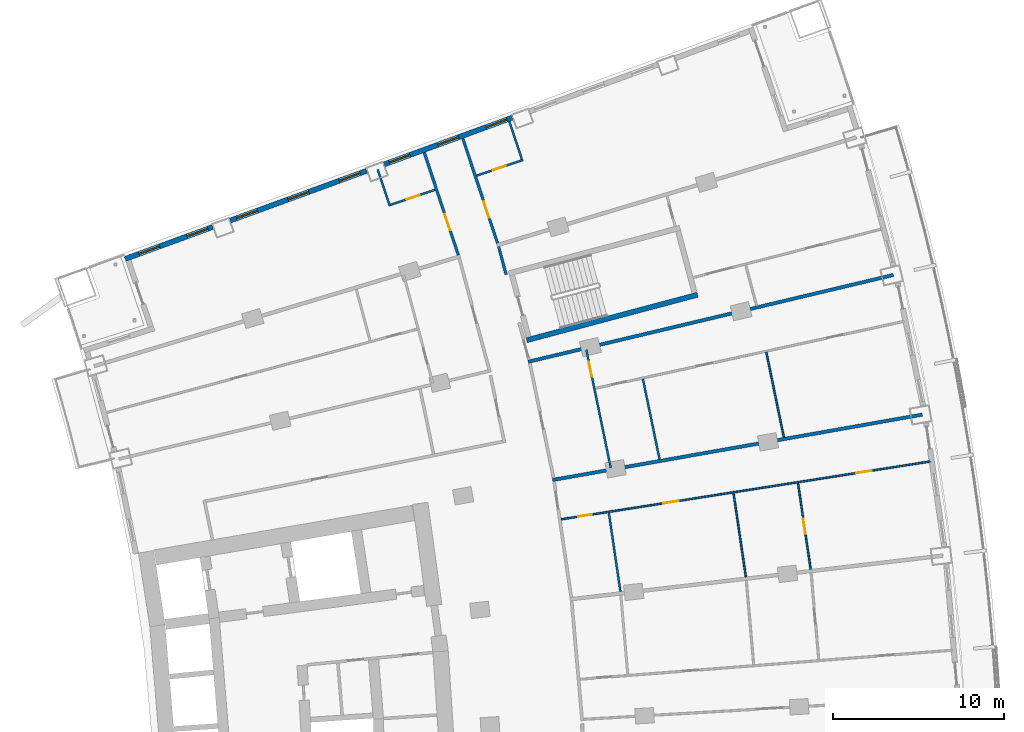
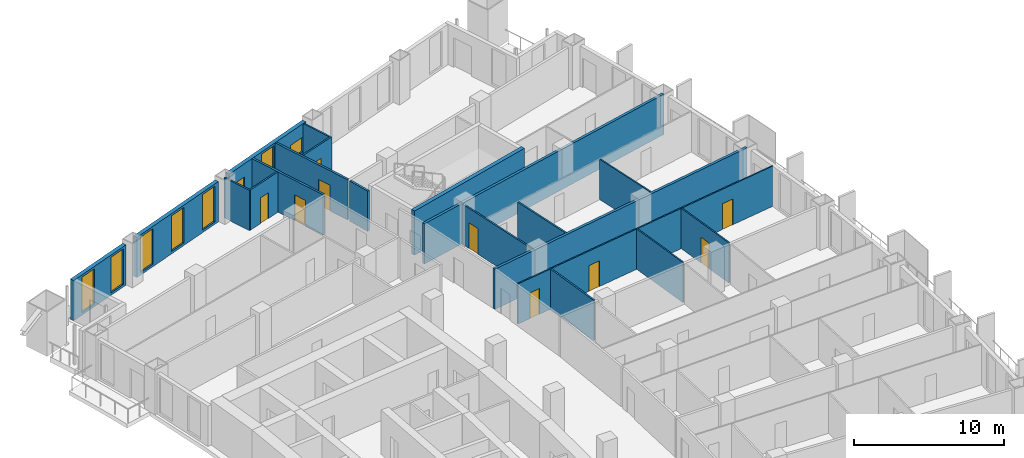
# One storey, part 20 of 25: 20 walls, 9 doors, 8 windows, 17 openings.
"""IFC4 building model written with IfcOpenShell, lengths in metres."""

from ifc_helpers import new_model, si_unit, direction, frame, frame_2d, origin, place, context, subcontext, project, spatial, rectangle, extrude, material, layer, layer_set, type_object, element, fill, save


model = new_model("IFC4")

# Units and contexts
model_context = context("Model", 3, precision=1e-05, world=origin(), true_north=direction((0.0, 1.0)))
body_context = subcontext(model_context, "Body", "Model", "MODEL_VIEW")
ifc_project = project(units=[si_unit("LENGTHUNIT", "METRE"), si_unit("AREAUNIT", "SQUARE_METRE"), si_unit("VOLUMEUNIT", "CUBIC_METRE"), si_unit("PLANEANGLEUNIT", "RADIAN"), si_unit("MASSUNIT", "GRAM", prefix="KILO")], contexts=[model_context])

# Site, building, storey
site_placement = place(None, origin())
site = spatial("IfcSite", under=ifc_project, at=site_placement, CompositionType="ELEMENT")
building_placement = place(site_placement, origin())
building = spatial("IfcBuilding", under=site, at=building_placement, Name="Alderwake Tower", CompositionType="ELEMENT")
storey_placement = place(building_placement, frame((0.0, 0.0, 46.39990234375)))
storey = spatial("IfcBuildingStorey", under=building, at=storey_placement, Name="L10", CompositionType="ELEMENT", Elevation=46.39990234375)

# Wall
ifc_material_1 = material(Name="Concrete C70/85", Category="concrete")
ifc_layer_1 = layer(ifc_material_1, 0.300048828125)
ifc_layer_set_1 = layer_set([ifc_layer_1], Name="Core wall stair enclosure 300 C70-85")
wall_type_1 = type_object("IfcWallType", Name="Core wall stair enclosure 300 C70-85", PredefinedType="SHEAR", material=ifc_layer_set_1)
wall_1_placement = place(storey_placement, frame((37.75390625, 90.268798828125, 0.0), z_axis=(0.0, 0.0, 1.0), x_axis=(0.966309214305, 0.257383958996, 0.0)))
element("IfcWall", 1, at=wall_1_placement, inside=storey, type_object=wall_type_1, Name="Core wall CW.084", PredefinedType="SHEAR", context=body_context, shape_type="SweptSolid", body=[
    extrude(rectangle(XDim=10.360107421875, YDim=0.300048828125, at=frame_2d((5.18017578125, 0.0))), origin(), (0.0, 0.0, 1.0), 3.60009765625),
])

# Wall, opening, door
ifc_material_2 = material(Name="Gypsum board on metal studs, rated")
ifc_layer_2 = layer(ifc_material_2, 0.159912109375)
ifc_layer_set_2 = layer_set([ifc_layer_2], Name="Corridor wall 160")
wall_type_2 = type_object("IfcWallType", Name="Corridor wall 160", PredefinedType="PARTITIONING", material=ifc_layer_set_2)
wall_2_placement = place(storey_placement, frame((33.75146484375, 95.2548828125, 0.0), z_axis=(0.0, 0.0, 1.0), x_axis=(-0.315406156735, 0.948956772616, 0.0)))
wall_2 = element("IfcWall", 2, at=wall_2_placement, inside=storey, type_object=wall_type_2, Name="WL/L10/W18", PredefinedType="PARTITIONING", context=body_context, shape_type="SweptSolid", body=[
    extrude(rectangle(XDim=6.330078125, YDim=0.159912109375, at=frame_2d((3.1650390625, 0.0))), origin(), (0.0, 0.0, 1.0), 3.280029296875),
])
opening_1_placement = place(wall_2_placement, frame((1.529052734375, 0.0, 0.0)))
opening_1 = element("IfcOpeningElement", 3, at=opening_1_placement, cuts=wall_2, Name="Opening R02-U14.1", PredefinedType="OPENING", context=body_context, shape_type="SweptSolid", body=[
    extrude(rectangle(XDim=1.0, YDim=2.10009765625, at=frame_2d((0.5, 1.050048828125))), frame((0.0, 0.08984375, 0.0), z_axis=(0.0, -1.0, 0.0), x_axis=(1.0, 0.0, 0.0)), (0.0, 0.0, 1.0), 0.179931640625),
])
ifc_material_3 = material(Name="Solid timber leaf in steel frame", Category="steel")
door_type_1 = type_object("IfcDoorType", Name="Flat entrance door 1000 fire-rated", OperationType="SINGLE_SWING_LEFT", PredefinedType="DOOR", material=ifc_material_3)
door_1_placement = place(opening_1_placement, origin())
door_1 = element("IfcDoor", 4, at=door_1_placement, inside=storey, type_object=door_type_1, Name="DR/L10/U14.1", OperationType="SINGLE_SWING_LEFT", OverallHeight=2.10009765625, OverallWidth=1.0, PredefinedType="DOOR", context=body_context, shape_type="SweptSolid", body=[
    extrude(rectangle(XDim=1.0, YDim=2.10009765625, at=frame_2d((0.5, 1.050048828125))), frame((0.0, 0.02490234375, 0.0), z_axis=(0.0, -1.0, 0.0), x_axis=(1.0, 0.0, 0.0)), (0.0, 0.0, 1.0), 0.050048828125),
])
fill(opening_1, door_1)

wall_3_placement = place(storey_placement, frame((34.010986328125, 102.083984375, 0.0), z_axis=(0.0, 0.0, 1.0), x_axis=(0.315140606423, -0.949044992708, 0.0)))
wall_3 = element("IfcWall", 5, at=wall_3_placement, inside=storey, type_object=wall_type_2, Name="WL/L10/W26", PredefinedType="PARTITIONING", context=body_context, shape_type="SweptSolid", body=[
    extrude(rectangle(XDim=6.46875, YDim=0.159912109375, at=frame_2d((3.234375, 0.0))), origin(), (0.0, 0.0, 1.0), 3.280029296875),
])
opening_2_placement = place(wall_3_placement, frame((3.897705078125, 0.0, 0.0)))
opening_2 = element("IfcOpeningElement", 6, at=opening_2_placement, cuts=wall_3, Name="Opening R02-U04.1", PredefinedType="OPENING", context=body_context, shape_type="SweptSolid", body=[
    extrude(rectangle(XDim=1.0, YDim=2.10009765625, at=frame_2d((0.5, 1.050048828125))), frame((0.0, 0.08984375, 0.0), z_axis=(0.0, -1.0, 0.0), x_axis=(1.0, 0.0, 0.0)), (0.0, 0.0, 1.0), 0.179931640625),
])
door_2_placement = place(opening_2_placement, origin())
door_2 = element("IfcDoor", 7, at=door_2_placement, inside=storey, type_object=door_type_1, Name="DR/L10/U04.1", OperationType="SINGLE_SWING_LEFT", OverallHeight=2.10009765625, OverallWidth=1.0, PredefinedType="DOOR", context=body_context, shape_type="SweptSolid", body=[
    extrude(rectangle(XDim=1.0, YDim=2.10009765625, at=frame_2d((0.5, 1.050048828125))), frame((0.0, 0.02490234375, 0.0), z_axis=(0.0, -1.0, 0.0), x_axis=(1.0, 0.0, 0.0)), (0.0, 0.0, 1.0), 0.050048828125),
])
fill(opening_2, door_2)

# Wall
wall_4_placement = place(storey_placement, frame((36.549072265625, 94.110107421875, 0.0), z_axis=(0.0, 0.0, 1.0), x_axis=(-0.259813977097, 0.965658685719, 0.0)))
element("IfcWall", 8, at=wall_4_placement, inside=storey, type_object=wall_type_2, Name="WL/L10/W29", PredefinedType="PARTITIONING", context=body_context, shape_type="SweptSolid", body=[
    extrude(rectangle(XDim=1.70166015625, YDim=0.159912109375, at=frame_2d((0.850830078125, 0.0))), origin(), (0.0, 0.0, 1.0), 3.280029296875),
])

# Wall, openings, windows
ifc_material_4 = material(Name="Bronze metal cladding on lightweight framing")
ifc_layer_3 = layer(ifc_material_4, 0.300048828125)
ifc_layer_set_3 = layer_set([ifc_layer_3], Name="External wall EW2 bronze metal cladding")
wall_type_3 = type_object("IfcWallType", Name="External wall EW2 bronze metal cladding", PredefinedType="SOLIDWALL", material=ifc_layer_set_3)
wall_5_placement = place(storey_placement, frame((36.896484375, 103.2978515625, 0.0), z_axis=(0.0, 0.0, 1.0), x_axis=(-0.93937644601, -0.342887580237, 0.0)))
wall_5 = element("IfcWall", 9, at=wall_5_placement, inside=storey, type_object=wall_type_3, Name="External wall 27", PredefinedType="SOLIDWALL", context=body_context, shape_type="SweptSolid", body=[
    extrude(rectangle(XDim=7.96240234375, YDim=0.300048828125, at=frame_2d((3.981201171875, 0.0))), origin(), (0.0, 0.0, 1.0), 3.280029296875),
])
opening_3_placement = place(wall_5_placement, frame((0.30908203125, 0.0, 1.0)))
opening_3 = element("IfcOpeningElement", 10, at=opening_3_placement, cuts=wall_5, Name="Opening W2", PredefinedType="OPENING", context=body_context, shape_type="SweptSolid", body=[
    extrude(rectangle(XDim=1.300048828125, YDim=1.199951171875, at=frame_2d((0.64990234375, 0.60009765625))), frame((0.0, 0.159912109375, 0.0), z_axis=(0.0, -1.0, 0.0), x_axis=(1.0, 0.0, 0.0)), (0.0, 0.0, 1.0), 0.320068359375),
])
opening_4_placement = place(wall_5_placement, frame((3.331298828125, 0.0, 0.199951171875)))
opening_4 = element("IfcOpeningElement", 11, at=opening_4_placement, cuts=wall_5, Name="Opening W1", PredefinedType="OPENING", context=body_context, shape_type="SweptSolid", body=[
    extrude(rectangle(XDim=1.300048828125, YDim=2.89990234375, at=frame_2d((0.64990234375, 1.449951171875))), frame((0.0, 0.159912109375, 0.0), z_axis=(0.0, -1.0, 0.0), x_axis=(1.0, 0.0, 0.0)), (0.0, 0.0, 1.0), 0.320068359375),
])
opening_5_placement = place(wall_5_placement, frame((6.353515625, 0.0, 1.0)))
opening_5 = element("IfcOpeningElement", 12, at=opening_5_placement, cuts=wall_5, Name="Opening W2", PredefinedType="OPENING", context=body_context, shape_type="SweptSolid", body=[
    extrude(rectangle(XDim=1.300048828125, YDim=1.199951171875, at=frame_2d((0.64990234375, 0.60009765625))), frame((0.0, 0.159912109375, 0.0), z_axis=(0.0, -1.0, 0.0), x_axis=(1.0, 0.0, 0.0)), (0.0, 0.0, 1.0), 0.320068359375),
])
ifc_material_5 = material(Name="Bronze tinted glass in aluminium frame", Category="aluminium")
window_type_1 = type_object("IfcWindowType", Name="Window W1 tall fixed and vent", PartitioningType="DOUBLE_PANEL_VERTICAL", PredefinedType="WINDOW", material=ifc_material_5)
window_1_placement = place(opening_4_placement, origin())
window_1 = element("IfcWindow", 13, at=window_1_placement, inside=storey, type_object=window_type_1, Name="Window W1 tall fixed and vent", OverallHeight=2.89990234375, OverallWidth=1.300048828125, PartitioningType="DOUBLE_PANEL_VERTICAL", PredefinedType="WINDOW", context=body_context, shape_type="SweptSolid", body=[
    extrude(rectangle(XDim=1.300048828125, YDim=2.89990234375, at=frame_2d((0.64990234375, 1.449951171875))), frame((0.0, 0.030029296875, 0.0), z_axis=(0.0, -1.0, 0.0), x_axis=(1.0, 0.0, 0.0)), (0.0, 0.0, 1.0), 0.06005859375),
])
fill(opening_4, window_1)
ifc_material_6 = material(Name="Bronze tinted glass in aluminium frame", Category="aluminium")
window_type_2 = type_object("IfcWindowType", Name="Window W2 kitchen and bath", PartitioningType="SINGLE_PANEL", PredefinedType="WINDOW", material=ifc_material_6)
window_2_placement = place(opening_3_placement, origin())
window_2 = element("IfcWindow", 14, at=window_2_placement, inside=storey, type_object=window_type_2, Name="Window W2 kitchen and bath", OverallHeight=1.199951171875, OverallWidth=1.300048828125, PartitioningType="SINGLE_PANEL", PredefinedType="WINDOW", context=body_context, shape_type="SweptSolid", body=[
    extrude(rectangle(XDim=1.300048828125, YDim=1.199951171875, at=frame_2d((0.64990234375, 0.60009765625))), frame((0.0, 0.030029296875, 0.0), z_axis=(0.0, -1.0, 0.0), x_axis=(1.0, 0.0, 0.0)), (0.0, 0.0, 1.0), 0.06005859375),
])
fill(opening_3, window_2)
window_3_placement = place(opening_5_placement, origin())
window_3 = element("IfcWindow", 15, at=window_3_placement, inside=storey, type_object=window_type_2, Name="Window W2 kitchen and bath", OverallHeight=1.199951171875, OverallWidth=1.300048828125, PartitioningType="SINGLE_PANEL", PredefinedType="WINDOW", context=body_context, shape_type="SweptSolid", body=[
    extrude(rectangle(XDim=1.300048828125, YDim=1.199951171875, at=frame_2d((0.64990234375, 0.60009765625))), frame((0.0, 0.030029296875, 0.0), z_axis=(0.0, -1.0, 0.0), x_axis=(1.0, 0.0, 0.0)), (0.0, 0.0, 1.0), 0.06005859375),
])
fill(opening_5, window_3)

wall_6_placement = place(storey_placement, frame((28.37890625, 100.18896484375, 0.0), z_axis=(0.0, 0.0, 1.0), x_axis=(-0.939369809957, -0.342905759856, 0.0)))
wall_6 = element("IfcWall", 16, at=wall_6_placement, inside=storey, type_object=wall_type_3, Name="External wall 28", PredefinedType="SOLIDWALL", context=body_context, shape_type="SweptSolid", body=[
    extrude(rectangle(XDim=8.495361328125, YDim=0.300048828125, at=frame_2d((4.24755859375, 0.0))), origin(), (0.0, 0.0, 1.0), 3.280029296875),
])
opening_6_placement = place(wall_6_placement, frame((0.397705078125, 0.0, 0.199951171875)))
opening_6 = element("IfcOpeningElement", 17, at=opening_6_placement, cuts=wall_6, Name="Opening W1", PredefinedType="OPENING", context=body_context, shape_type="SweptSolid", body=[
    extrude(rectangle(XDim=1.300048828125, YDim=2.89990234375, at=frame_2d((0.64990234375, 1.449951171875))), frame((0.0, 0.159912109375, 0.0), z_axis=(0.0, -1.0, 0.0), x_axis=(1.0, 0.0, 0.0)), (0.0, 0.0, 1.0), 0.320068359375),
])
opening_7_placement = place(wall_6_placement, frame((3.59765625, 0.0, 0.199951171875)))
opening_7 = element("IfcOpeningElement", 18, at=opening_7_placement, cuts=wall_6, Name="Opening W1", PredefinedType="OPENING", context=body_context, shape_type="SweptSolid", body=[
    extrude(rectangle(XDim=1.300048828125, YDim=2.89990234375, at=frame_2d((0.64990234375, 1.449951171875))), frame((0.0, 0.159912109375, 0.0), z_axis=(0.0, -1.0, 0.0), x_axis=(1.0, 0.0, 0.0)), (0.0, 0.0, 1.0), 0.320068359375),
])
opening_8_placement = place(wall_6_placement, frame((6.7978515625, 0.0, 0.199951171875)))
opening_8 = element("IfcOpeningElement", 19, at=opening_8_placement, cuts=wall_6, Name="Opening W1", PredefinedType="OPENING", context=body_context, shape_type="SweptSolid", body=[
    extrude(rectangle(XDim=1.300048828125, YDim=2.89990234375, at=frame_2d((0.64990234375, 1.449951171875))), frame((0.0, 0.159912109375, 0.0), z_axis=(0.0, -1.0, 0.0), x_axis=(1.0, 0.0, 0.0)), (0.0, 0.0, 1.0), 0.320068359375),
])
window_4_placement = place(opening_6_placement, origin())
window_4 = element("IfcWindow", 20, at=window_4_placement, inside=storey, type_object=window_type_1, Name="Window W1 tall fixed and vent", OverallHeight=2.89990234375, OverallWidth=1.300048828125, PartitioningType="DOUBLE_PANEL_VERTICAL", PredefinedType="WINDOW", context=body_context, shape_type="SweptSolid", body=[
    extrude(rectangle(XDim=1.300048828125, YDim=2.89990234375, at=frame_2d((0.64990234375, 1.449951171875))), frame((0.0, 0.030029296875, 0.0), z_axis=(0.0, -1.0, 0.0), x_axis=(1.0, 0.0, 0.0)), (0.0, 0.0, 1.0), 0.06005859375),
])
fill(opening_6, window_4)
window_5_placement = place(opening_7_placement, origin())
window_5 = element("IfcWindow", 21, at=window_5_placement, inside=storey, type_object=window_type_1, Name="Window W1 tall fixed and vent", OverallHeight=2.89990234375, OverallWidth=1.300048828125, PartitioningType="DOUBLE_PANEL_VERTICAL", PredefinedType="WINDOW", context=body_context, shape_type="SweptSolid", body=[
    extrude(rectangle(XDim=1.300048828125, YDim=2.89990234375, at=frame_2d((0.64990234375, 1.449951171875))), frame((0.0, 0.030029296875, 0.0), z_axis=(0.0, -1.0, 0.0), x_axis=(1.0, 0.0, 0.0)), (0.0, 0.0, 1.0), 0.06005859375),
])
fill(opening_7, window_5)
window_6_placement = place(opening_8_placement, origin())
window_6 = element("IfcWindow", 22, at=window_6_placement, inside=storey, type_object=window_type_1, Name="Window W1 tall fixed and vent", OverallHeight=2.89990234375, OverallWidth=1.300048828125, PartitioningType="DOUBLE_PANEL_VERTICAL", PredefinedType="WINDOW", context=body_context, shape_type="SweptSolid", body=[
    extrude(rectangle(XDim=1.300048828125, YDim=2.89990234375, at=frame_2d((0.64990234375, 1.449951171875))), frame((0.0, 0.030029296875, 0.0), z_axis=(0.0, -1.0, 0.0), x_axis=(1.0, 0.0, 0.0)), (0.0, 0.0, 1.0), 0.06005859375),
])
fill(opening_8, window_6)

wall_7_placement = place(storey_placement, frame((19.360595703125, 96.89697265625, 0.0), z_axis=(0.0, 0.0, 1.0), x_axis=(-0.939360985368, -0.342929933321, 0.0)))
wall_7 = element("IfcWall", 23, at=wall_7_placement, inside=storey, type_object=wall_type_3, Name="External wall 29", PredefinedType="SOLIDWALL", context=body_context, shape_type="SweptSolid", body=[
    extrude(rectangle(XDim=5.448974609375, YDim=0.300048828125, at=frame_2d((2.724609375, 0.0))), origin(), (0.0, 0.0, 1.0), 3.280029296875),
])
opening_9_placement = place(wall_7_placement, frame((0.2978515625, 0.0, 0.199951171875)))
opening_9 = element("IfcOpeningElement", 24, at=opening_9_placement, cuts=wall_7, Name="Opening W1", PredefinedType="OPENING", context=body_context, shape_type="SweptSolid", body=[
    extrude(rectangle(XDim=1.300048828125, YDim=2.89990234375, at=frame_2d((0.64990234375, 1.449951171875))), frame((0.0, 0.159912109375, 0.0), z_axis=(0.0, -1.0, 0.0), x_axis=(1.0, 0.0, 0.0)), (0.0, 0.0, 1.0), 0.320068359375),
])
opening_10_placement = place(wall_7_placement, frame((3.298583984375, 0.0, 0.199951171875)))
opening_10 = element("IfcOpeningElement", 25, at=opening_10_placement, cuts=wall_7, Name="Opening W1", PredefinedType="OPENING", context=body_context, shape_type="SweptSolid", body=[
    extrude(rectangle(XDim=1.300048828125, YDim=2.89990234375, at=frame_2d((0.64990234375, 1.449951171875))), frame((0.0, 0.159912109375, 0.0), z_axis=(0.0, -1.0, 0.0), x_axis=(1.0, 0.0, 0.0)), (0.0, 0.0, 1.0), 0.320068359375),
])
window_7_placement = place(opening_9_placement, origin())
window_7 = element("IfcWindow", 26, at=window_7_placement, inside=storey, type_object=window_type_1, Name="Window W1 tall fixed and vent", OverallHeight=2.89990234375, OverallWidth=1.300048828125, PartitioningType="DOUBLE_PANEL_VERTICAL", PredefinedType="WINDOW", context=body_context, shape_type="SweptSolid", body=[
    extrude(rectangle(XDim=1.300048828125, YDim=2.89990234375, at=frame_2d((0.64990234375, 1.449951171875))), frame((0.0, 0.030029296875, 0.0), z_axis=(0.0, -1.0, 0.0), x_axis=(1.0, 0.0, 0.0)), (0.0, 0.0, 1.0), 0.06005859375),
])
fill(opening_9, window_7)
window_8_placement = place(opening_10_placement, origin())
window_8 = element("IfcWindow", 27, at=window_8_placement, inside=storey, type_object=window_type_1, Name="Window W1 tall fixed and vent", OverallHeight=2.89990234375, OverallWidth=1.300048828125, PartitioningType="DOUBLE_PANEL_VERTICAL", PredefinedType="WINDOW", context=body_context, shape_type="SweptSolid", body=[
    extrude(rectangle(XDim=1.300048828125, YDim=2.89990234375, at=frame_2d((0.64990234375, 1.449951171875))), frame((0.0, 0.030029296875, 0.0), z_axis=(0.0, -1.0, 0.0), x_axis=(1.0, 0.0, 0.0)), (0.0, 0.0, 1.0), 0.06005859375),
])
fill(opening_10, window_8)

# Walls
ifc_material_7 = material(Name="Dense block masonry wall", Category="masonry")
ifc_layer_4 = layer(ifc_material_7, 0.199951171875)
ifc_layer_set_4 = layer_set([ifc_layer_4], Name="Party wall 200")
wall_type_4 = type_object("IfcWallType", Name="Party wall 200", PredefinedType="SOLIDWALL", material=ifc_layer_set_4)
wall_8_placement = place(storey_placement, frame((37.839111328125, 89.006591796875, 0.0), z_axis=(0.0, 0.0, 1.0), x_axis=(0.972896955684, 0.231239083247, 0.0)))
element("IfcWall", 28, at=wall_8_placement, inside=storey, type_object=wall_type_4, Name="WL/L10/W05", PredefinedType="SOLIDWALL", context=body_context, shape_type="SweptSolid", body=[
    extrude(rectangle(XDim=21.9794921875, YDim=0.199951171875, at=frame_2d((10.98974609375, 0.0))), origin(), (0.0, 0.0, 1.0), 3.280029296875),
])
wall_9_placement = place(storey_placement, frame((60.9150390625, 85.9140625, 0.0), z_axis=(0.0, 0.0, 1.0), x_axis=(-0.984728497917, -0.174097057385, 0.0)))
element("IfcWall", 29, at=wall_9_placement, inside=storey, type_object=wall_type_4, Name="WL/L10/W09", PredefinedType="SOLIDWALL", context=body_context, shape_type="SweptSolid", body=[
    extrude(rectangle(XDim=21.9814453125, YDim=0.199951171875, at=frame_2d((10.99072265625, 0.0))), origin(), (0.0, 0.0, 1.0), 3.280029296875),
])

# Wall, openings, doors
ifc_material_8 = material(Name="Gypsum board on metal studs")
ifc_layer_5 = layer(ifc_material_8, 0.10009765625)
ifc_layer_set_5 = layer_set([ifc_layer_5], Name="Unit partition 100")
wall_type_5 = type_object("IfcWallType", Name="Unit partition 100", PredefinedType="PARTITIONING", material=ifc_layer_set_5)
wall_10_placement = place(storey_placement, frame((61.367919921875, 83.1689453125, 0.0), z_axis=(0.0, 0.0, 1.0), x_axis=(-0.987930619591, -0.154897033134, 0.0)))
wall_10 = element("IfcWall", 30, at=wall_10_placement, inside=storey, type_object=wall_type_5, Name="WL/L10/W67", PredefinedType="PARTITIONING", context=body_context, shape_type="SweptSolid", body=[
    extrude(rectangle(XDim=21.86279296875, YDim=0.10009765625, at=frame_2d((10.931396484375, 0.0))), origin(), (0.0, 0.0, 1.0), 3.280029296875),
])
opening_11_placement = place(wall_10_placement, frame((14.89697265625, 0.0, 0.0)))
opening_11 = element("IfcOpeningElement", 31, at=opening_11_placement, cuts=wall_10, Name="Opening R02-U09.1", PredefinedType="OPENING", context=body_context, shape_type="SweptSolid", body=[
    extrude(rectangle(XDim=0.89990234375, YDim=2.10009765625, at=frame_2d((0.449951171875, 1.050048828125))), frame((0.0, 0.06005859375, 0.0), z_axis=(0.0, -1.0, 0.0), x_axis=(1.0, 0.0, 0.0)), (0.0, 0.0, 1.0), 0.1201171875),
])
opening_12_placement = place(wall_10_placement, frame((20.052734375, 0.0, 0.0)))
opening_12 = element("IfcOpeningElement", 32, at=opening_12_placement, cuts=wall_10, Name="Opening R02-U09.4", PredefinedType="OPENING", context=body_context, shape_type="SweptSolid", body=[
    extrude(rectangle(XDim=0.800048828125, YDim=2.10009765625, at=frame_2d((0.39990234375, 1.050048828125))), frame((0.0, 0.06005859375, 0.0), z_axis=(0.0, -1.0, 0.0), x_axis=(1.0, 0.0, 0.0)), (0.0, 0.0, 1.0), 0.1201171875),
])
opening_13_placement = place(wall_10_placement, frame((3.465087890625, 0.0, 0.0)))
opening_13 = element("IfcOpeningElement", 33, at=opening_13_placement, cuts=wall_10, Name="Opening R02-U09.5", PredefinedType="OPENING", context=body_context, shape_type="SweptSolid", body=[
    extrude(rectangle(XDim=0.89990234375, YDim=2.10009765625, at=frame_2d((0.449951171875, 1.050048828125))), frame((0.0, 0.06005859375, 0.0), z_axis=(0.0, -1.0, 0.0), x_axis=(1.0, 0.0, 0.0)), (0.0, 0.0, 1.0), 0.1201171875),
])
ifc_material_9 = material(Name="Painted timber leaf", Category="wood")
door_type_2 = type_object("IfcDoorType", Name="Bathroom door 800", OperationType="SINGLE_SWING_LEFT", PredefinedType="DOOR", material=ifc_material_9)
door_3_placement = place(opening_12_placement, origin())
door_3 = element("IfcDoor", 34, at=door_3_placement, inside=storey, type_object=door_type_2, Name="DR/L10/U09.4", OperationType="SINGLE_SWING_LEFT", OverallHeight=2.10009765625, OverallWidth=0.800048828125, PredefinedType="DOOR", context=body_context, shape_type="SweptSolid", body=[
    extrude(rectangle(XDim=0.800048828125, YDim=2.10009765625, at=frame_2d((0.39990234375, 1.050048828125))), frame((0.0, 0.02490234375, 0.0), z_axis=(0.0, -1.0, 0.0), x_axis=(1.0, 0.0, 0.0)), (0.0, 0.0, 1.0), 0.050048828125),
])
fill(opening_12, door_3)
ifc_material_10 = material(Name="Painted timber leaf", Category="wood")
door_type_3 = type_object("IfcDoorType", Name="Room door 900", OperationType="SINGLE_SWING_LEFT", PredefinedType="DOOR", material=ifc_material_10)
door_4_placement = place(opening_11_placement, origin())
door_4 = element("IfcDoor", 35, at=door_4_placement, inside=storey, type_object=door_type_3, Name="DR/L10/U09.1", OperationType="SINGLE_SWING_LEFT", OverallHeight=2.10009765625, OverallWidth=0.89990234375, PredefinedType="DOOR", context=body_context, shape_type="SweptSolid", body=[
    extrude(rectangle(XDim=0.89990234375, YDim=2.10009765625, at=frame_2d((0.449951171875, 1.050048828125))), frame((0.0, 0.02490234375, 0.0), z_axis=(0.0, -1.0, 0.0), x_axis=(1.0, 0.0, 0.0)), (0.0, 0.0, 1.0), 0.050048828125),
])
fill(opening_11, door_4)
door_5_placement = place(opening_13_placement, origin())
door_5 = element("IfcDoor", 36, at=door_5_placement, inside=storey, type_object=door_type_3, Name="DR/L10/U09.5", OperationType="SINGLE_SWING_LEFT", OverallHeight=2.10009765625, OverallWidth=0.89990234375, PredefinedType="DOOR", context=body_context, shape_type="SweptSolid", body=[
    extrude(rectangle(XDim=0.89990234375, YDim=2.10009765625, at=frame_2d((0.449951171875, 1.050048828125))), frame((0.0, 0.02490234375, 0.0), z_axis=(0.0, -1.0, 0.0), x_axis=(1.0, 0.0, 0.0)), (0.0, 0.0, 1.0), 0.050048828125),
])
fill(opening_13, door_5)

# Walls
wall_11_placement = place(storey_placement, frame((50.58642578125, 76.404052734375, 0.0), z_axis=(0.0, 0.0, 1.0), x_axis=(-0.145447275975, 0.98936600402, 0.0)))
element("IfcWall", 37, at=wall_11_placement, inside=storey, type_object=wall_type_5, Name="WL/L10/W79", PredefinedType="PARTITIONING", context=body_context, shape_type="SweptSolid", body=[
    extrude(rectangle(XDim=4.965087890625, YDim=0.10009765625, at=frame_2d((2.482421875, 0.0))), origin(), (0.0, 0.0, 1.0), 3.280029296875),
])
wall_12_placement = place(storey_placement, frame((52.812744140625, 84.583984375, 0.0), z_axis=(0.0, 0.0, 1.0), x_axis=(-0.202516863468, 0.979278775432, 0.0)))
element("IfcWall", 38, at=wall_12_placement, inside=storey, type_object=wall_type_5, Name="WL/L10/W87", PredefinedType="PARTITIONING", context=body_context, shape_type="SweptSolid", body=[
    extrude(rectangle(XDim=5.094482421875, YDim=0.10009765625, at=frame_2d((2.54736328125, 0.0))), origin(), (0.0, 0.0, 1.0), 3.280029296875),
])

# Wall, opening, door
wall_13_placement = place(storey_placement, frame((54.381591796875, 76.85107421875, 0.0), z_axis=(0.0, 0.0, 1.0), x_axis=(-0.14545960896, 0.989364190863, 0.0)))
wall_13 = element("IfcWall", 39, at=wall_13_placement, inside=storey, type_object=wall_type_5, Name="WL/L10/W88", PredefinedType="PARTITIONING", context=body_context, shape_type="SweptSolid", body=[
    extrude(rectangle(XDim=5.11083984375, YDim=0.10009765625, at=frame_2d((2.555419921875, 0.0))), origin(), (0.0, 0.0, 1.0), 3.280029296875),
])
opening_14_placement = place(wall_13_placement, frame((2.10546875, 0.0, 0.0)))
opening_14 = element("IfcOpeningElement", 40, at=opening_14_placement, cuts=wall_13, Name="Opening R02-U09.2", PredefinedType="OPENING", context=body_context, shape_type="SweptSolid", body=[
    extrude(rectangle(XDim=0.89990234375, YDim=2.10009765625, at=frame_2d((0.449951171875, 1.050048828125))), frame((0.0, 0.06005859375, 0.0), z_axis=(0.0, -1.0, 0.0), x_axis=(1.0, 0.0, 0.0)), (0.0, 0.0, 1.0), 0.1201171875),
])
door_6_placement = place(opening_14_placement, origin())
door_6 = element("IfcDoor", 41, at=door_6_placement, inside=storey, type_object=door_type_3, Name="DR/L10/U09.2", OperationType="SINGLE_SWING_LEFT", OverallHeight=2.10009765625, OverallWidth=0.89990234375, PredefinedType="DOOR", context=body_context, shape_type="SweptSolid", body=[
    extrude(rectangle(XDim=0.89990234375, YDim=2.10009765625, at=frame_2d((0.449951171875, 1.050048828125))), frame((0.0, 0.02490234375, 0.0), z_axis=(0.0, -1.0, 0.0), x_axis=(1.0, 0.0, 0.0)), (0.0, 0.0, 1.0), 0.050048828125),
])
fill(opening_14, door_6)

# Wall
ifc_material_11 = material(Name="Moisture resistant gypsum board on metal studs")
ifc_layer_6 = layer(ifc_material_11, 0.1201171875)
ifc_layer_set_6 = layer_set([ifc_layer_6], Name="Wet room partition 120")
wall_type_6 = type_object("IfcWallType", Name="Wet room partition 120", PredefinedType="PARTITIONING", material=ifc_layer_set_6)
wall_14_placement = place(storey_placement, frame((29.031005859375, 100.26611328125, 0.0), z_axis=(0.0, 0.0, 1.0), x_axis=(0.315774774353, -0.948834175123, 0.0)))
element("IfcWall", 42, at=wall_14_placement, inside=storey, type_object=wall_type_6, Name="WL/L10/W41", PredefinedType="PARTITIONING", context=body_context, shape_type="SweptSolid", body=[
    extrude(rectangle(XDim=2.263671875, YDim=0.1201171875, at=frame_2d((1.1318359375, 0.0))), origin(), (0.0, 0.0, 1.0), 3.280029296875),
])

# Wall, opening, door
wall_15_placement = place(storey_placement, frame((29.78369140625, 98.1943359375, 0.0), z_axis=(0.0, 0.0, 1.0), x_axis=(0.947131995712, 0.320844171989, 0.0)))
wall_15 = element("IfcWall", 43, at=wall_15_placement, inside=storey, type_object=wall_type_6, Name="WL/L10/W43", PredefinedType="PARTITIONING", context=body_context, shape_type="SweptSolid", body=[
    extrude(rectangle(XDim=2.75830078125, YDim=0.1201171875, at=frame_2d((1.379150390625, 0.0))), origin(), (0.0, 0.0, 1.0), 3.280029296875),
])
opening_15_placement = place(wall_15_placement, frame((0.97900390625, 0.0, 0.0)))
opening_15 = element("IfcOpeningElement", 44, at=opening_15_placement, cuts=wall_15, Name="Opening R02-U14.2", PredefinedType="OPENING", context=body_context, shape_type="SweptSolid", body=[
    extrude(rectangle(XDim=0.800048828125, YDim=2.10009765625, at=frame_2d((0.39990234375, 1.050048828125))), frame((0.0, 0.070068359375, 0.0), z_axis=(0.0, -1.0, 0.0), x_axis=(1.0, 0.0, 0.0)), (0.0, 0.0, 1.0), 0.14013671875),
])
door_7_placement = place(opening_15_placement, origin())
door_7 = element("IfcDoor", 45, at=door_7_placement, inside=storey, type_object=door_type_2, Name="DR/L10/U14.2", OperationType="SINGLE_SWING_LEFT", OverallHeight=2.10009765625, OverallWidth=0.800048828125, PredefinedType="DOOR", context=body_context, shape_type="SweptSolid", body=[
    extrude(rectangle(XDim=0.800048828125, YDim=2.10009765625, at=frame_2d((0.39990234375, 1.050048828125))), frame((0.0, 0.02490234375, 0.0), z_axis=(0.0, -1.0, 0.0), x_axis=(1.0, 0.0, 0.0)), (0.0, 0.0, 1.0), 0.050048828125),
])
fill(opening_15, door_7)

wall_16_placement = place(storey_placement, frame((34.81884765625, 99.901611328125, 0.0), z_axis=(0.0, 0.0, 1.0), x_axis=(0.947119631015, 0.32088067026, 0.0)))
wall_16 = element("IfcWall", 46, at=wall_16_placement, inside=storey, type_object=wall_type_6, Name="WL/L10/W47", PredefinedType="PARTITIONING", context=body_context, shape_type="SweptSolid", body=[
    extrude(rectangle(XDim=2.878173828125, YDim=0.1201171875, at=frame_2d((1.43896484375, 0.0))), origin(), (0.0, 0.0, 1.0), 3.280029296875),
])
opening_16_placement = place(wall_16_placement, frame((1.009765625, 0.0, 0.0)))
opening_16 = element("IfcOpeningElement", 47, at=opening_16_placement, cuts=wall_16, Name="Opening R02-U04.2", PredefinedType="OPENING", context=body_context, shape_type="SweptSolid", body=[
    extrude(rectangle(XDim=0.800048828125, YDim=2.10009765625, at=frame_2d((0.39990234375, 1.050048828125))), frame((0.0, 0.070068359375, 0.0), z_axis=(0.0, -1.0, 0.0), x_axis=(1.0, 0.0, 0.0)), (0.0, 0.0, 1.0), 0.14013671875),
])
door_8_placement = place(opening_16_placement, origin())
door_8 = element("IfcDoor", 48, at=door_8_placement, inside=storey, type_object=door_type_2, Name="DR/L10/U04.2", OperationType="SINGLE_SWING_LEFT", OverallHeight=2.10009765625, OverallWidth=0.800048828125, PredefinedType="DOOR", context=body_context, shape_type="SweptSolid", body=[
    extrude(rectangle(XDim=0.800048828125, YDim=2.10009765625, at=frame_2d((0.39990234375, 1.050048828125))), frame((0.0, 0.02490234375, 0.0), z_axis=(0.0, -1.0, 0.0), x_axis=(1.0, 0.0, 0.0)), (0.0, 0.0, 1.0), 0.050048828125),
])
fill(opening_16, door_8)

# Wall
wall_17_placement = place(storey_placement, frame((37.468994140625, 100.863037109375, 0.0), z_axis=(0.0, 0.0, 1.0), x_axis=(-0.314251248963, 0.94933985091, 0.0)))
element("IfcWall", 49, at=wall_17_placement, inside=storey, type_object=wall_type_6, Name="WL/L10/W50", PredefinedType="PARTITIONING", context=body_context, shape_type="SweptSolid", body=[
    extrude(rectangle(XDim=2.33544921875, YDim=0.1201171875, at=frame_2d((1.167724609375, 0.0))), origin(), (0.0, 0.0, 1.0), 3.280029296875),
])

# Wall, opening, door
wall_18_placement = place(storey_placement, frame((41.243408203125, 89.712890625, 0.0), z_axis=(0.0, 0.0, 1.0), x_axis=(0.202695854643, -0.979241742631, 0.0)))
wall_18 = element("IfcWall", 50, at=wall_18_placement, inside=storey, type_object=wall_type_6, Name="WL/L10/W52", PredefinedType="PARTITIONING", context=body_context, shape_type="SweptSolid", body=[
    extrude(rectangle(XDim=7.066650390625, YDim=0.1201171875, at=frame_2d((3.533203125, 0.0))), origin(), (0.0, 0.0, 1.0), 3.280029296875),
])
opening_17_placement = place(wall_18_placement, frame((0.711669921875, 0.0, 0.0)))
opening_17 = element("IfcOpeningElement", 51, at=opening_17_placement, cuts=wall_18, Name="Opening R02-U10.3", PredefinedType="OPENING", context=body_context, shape_type="SweptSolid", body=[
    extrude(rectangle(XDim=0.89990234375, YDim=2.10009765625, at=frame_2d((0.449951171875, 1.050048828125))), frame((0.0, 0.070068359375, 0.0), z_axis=(0.0, -1.0, 0.0), x_axis=(1.0, 0.0, 0.0)), (0.0, 0.0, 1.0), 0.14013671875),
])
door_9_placement = place(opening_17_placement, origin())
door_9 = element("IfcDoor", 52, at=door_9_placement, inside=storey, type_object=door_type_3, Name="DR/L10/U10.3", OperationType="SINGLE_SWING_LEFT", OverallHeight=2.10009765625, OverallWidth=0.89990234375, PredefinedType="DOOR", context=body_context, shape_type="SweptSolid", body=[
    extrude(rectangle(XDim=0.89990234375, YDim=2.10009765625, at=frame_2d((0.449951171875, 1.050048828125))), frame((0.0, 0.02490234375, 0.0), z_axis=(0.0, -1.0, 0.0), x_axis=(1.0, 0.0, 0.0)), (0.0, 0.0, 1.0), 0.050048828125),
])
fill(opening_17, door_9)

# Walls
wall_19_placement = place(storey_placement, frame((43.242431640625, 75.5458984375, 0.0), z_axis=(0.0, 0.0, 1.0), x_axis=(-0.145515042, 0.989356039326, 0.0)))
element("IfcWall", 53, at=wall_19_placement, inside=storey, type_object=wall_type_6, Name="WL/L10/W54", PredefinedType="PARTITIONING", context=body_context, shape_type="SweptSolid", body=[
    extrude(rectangle(XDim=4.67431640625, YDim=0.1201171875, at=frame_2d((2.337158203125, 0.0))), origin(), (0.0, 0.0, 1.0), 3.280029296875),
])
wall_20_placement = place(storey_placement, frame((45.53173828125, 83.297119140625, 0.0), z_axis=(0.0, 0.0, 1.0), x_axis=(-0.202763480801, 0.979227742077, 0.0)))
element("IfcWall", 54, at=wall_20_placement, inside=storey, type_object=wall_type_6, Name="WL/L10/W60", PredefinedType="PARTITIONING", context=body_context, shape_type="SweptSolid", body=[
    extrude(rectangle(XDim=4.806640625, YDim=0.1201171875, at=frame_2d((2.4033203125, 0.0))), origin(), (0.0, 0.0, 1.0), 3.280029296875),
])

save(model, "model.ifc")
